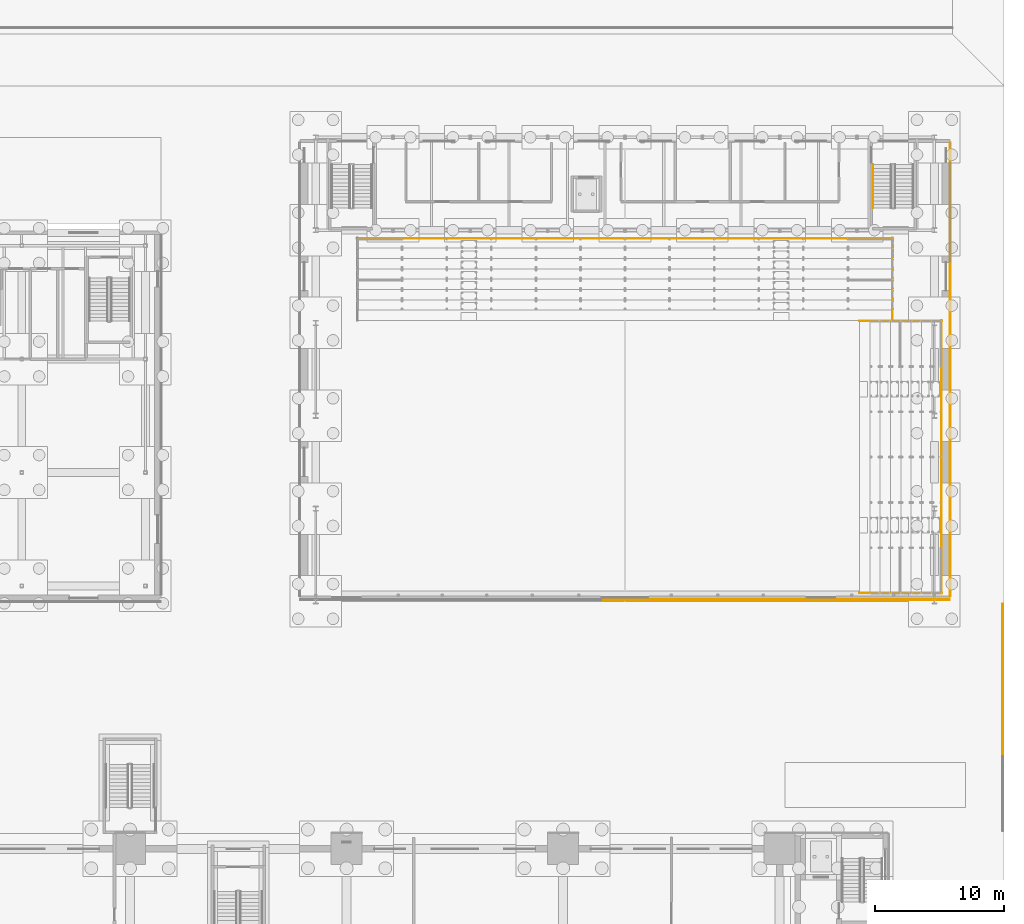
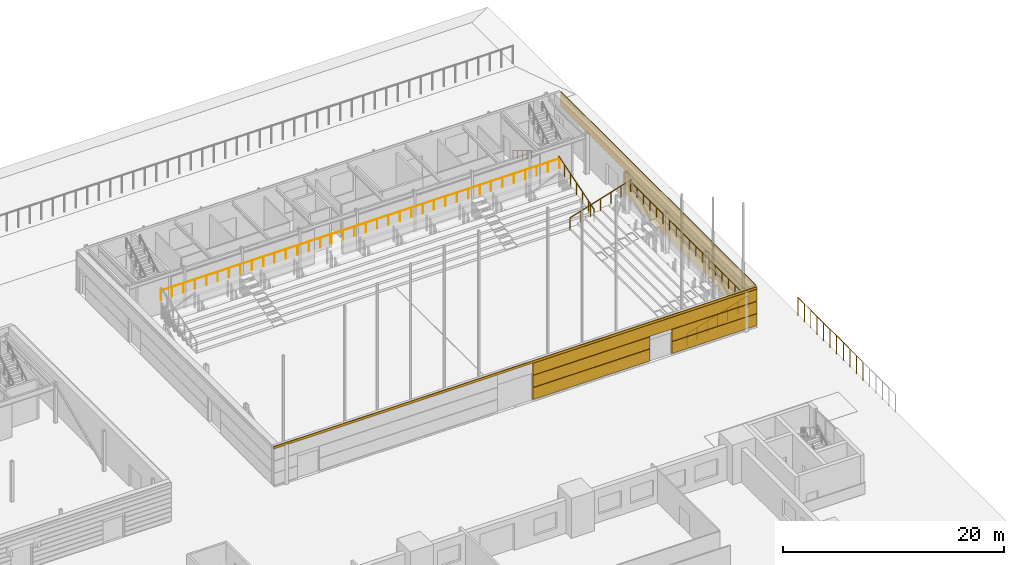
# One storey, part 134 of 139: 10 coverings, 8 railings.
"""IFC4 building model written with IfcOpenShell, lengths in metres."""

import ifcopenshell
import ifcopenshell.guid

model = None  # the IFC model being written
_history = None  # IfcOwnerHistory: only IFC2X3 demands one
_inside = {}  # id of a spatial element -> (the spatial element, [elements in it])
_under = {}  # id of a project, library or spatial element -> (it, [spatial elements below it])
_declared = {}  # id of a project -> (the project, [libraries it declares])
_typed = {}  # id of a type object -> (the type object, [elements of that type])
_made_of = {}  # id of a material, layer set ... -> (it, [elements and type objects made of it])


def new_model(schema):
    """Start an empty IFC model of exactly this schema.

    Asked for "IFC4X3", IfcOpenShell would pick the latest addendum, in which some entities
    have other attributes; the version numbers below select the first issue.
    IFC2X3 requires an IfcOwnerHistory on every rooted entity: one is made here for all.
    """
    global model, _history
    if schema == "IFC4X3":
        model = ifcopenshell.file(schema_version=(4, 3, 0, 0))
    else:
        model = ifcopenshell.file(schema=schema)
    _inside.clear()
    _under.clear()
    _declared.clear()
    _typed.clear()
    _made_of.clear()
    _history = None
    if model.schema == "IFC2X3":
        org = make("IfcOrganization", Name="unknown")
        user = make(
            "IfcPersonAndOrganization",
            ThePerson=make("IfcPerson", FamilyName="unknown"),
            TheOrganization=org,
        )
        app = make(
            "IfcApplication",
            ApplicationDeveloper=org,
            Version="unknown",
            ApplicationFullName="unknown",
            ApplicationIdentifier="unknown",
        )
        _history = make(
            "IfcOwnerHistory",
            OwningUser=user,
            OwningApplication=app,
            ChangeAction="ADDED",
            CreationDate=0,
        )
    return model


def make(cls, **values):
    """One entity of the class cls with the attributes given. An attribute that is None is left unset."""
    return model.create_entity(
        cls, **{name: value for name, value in values.items() if value is not None}
    )


def rooted(cls, **values):
    """An entity with a GlobalId (a new one), such as an element, a storey or a relation."""
    return make(cls, GlobalId=ifcopenshell.guid.new(), OwnerHistory=_history, **values)


def si_unit(unit_type, name, prefix=None):
    """IfcSIUnit, for example si_unit("LENGTHUNIT", "METRE", prefix="MILLI")."""
    return make("IfcSIUnit", UnitType=unit_type, Prefix=prefix, Name=name)


def assignment(units):
    """IfcUnitAssignment: the units of a project."""
    return None if units is None else make("IfcUnitAssignment", Units=units)


def point(xyz):
    """IfcCartesianPoint."""
    return None if xyz is None else make("IfcCartesianPoint", Coordinates=xyz)


def direction(xyz):
    """IfcDirection."""
    return None if xyz is None else make("IfcDirection", DirectionRatios=xyz)


def frame(location, z_axis=None, x_axis=None):
    """IfcAxis2Placement3D, a coordinate frame: its origin and axes. An axis left out is left unset."""
    return make(
        "IfcAxis2Placement3D",
        Location=point(location),
        Axis=direction(z_axis),
        RefDirection=direction(x_axis),
    )


def frame_2d(location, x_axis=None):
    """IfcAxis2Placement2D, a coordinate frame in the plane: its origin and x axis."""
    return make(
        "IfcAxis2Placement2D", Location=point(location), RefDirection=direction(x_axis)
    )


def origin():
    """The frame at (0, 0, 0) with its axes left unset."""
    return frame((0.0, 0.0, 0.0))


def origin_2d():
    """The frame at (0, 0) in the plane with its x axis left unset."""
    return frame_2d((0.0, 0.0))


def place(relative_to, where):
    """IfcLocalPlacement: puts the frame where relative to a parent placement (None: the world)."""
    return make(
        "IfcLocalPlacement", PlacementRelTo=relative_to, RelativePlacement=where
    )


def context(
    kind, dimensions, precision=None, world=None, true_north=None, identifier=None
):
    """IfcGeometricRepresentationContext, for example the 3D "Model" context."""
    return make(
        "IfcGeometricRepresentationContext",
        ContextIdentifier=identifier,
        ContextType=kind,
        CoordinateSpaceDimension=dimensions,
        Precision=precision,
        WorldCoordinateSystem=world,
        TrueNorth=true_north,
    )


def subcontext(parent, identifier, kind, view, scale=None):
    """IfcGeometricRepresentationSubContext, for example "Body" below "Model"."""
    return make(
        "IfcGeometricRepresentationSubContext",
        ContextIdentifier=identifier,
        ContextType=kind,
        ParentContext=parent,
        TargetScale=scale,
        TargetView=view,
    )


def project(units=None, contexts=None):
    """IfcProject with its units and contexts."""
    return rooted(
        "IfcProject",
        Name="project",
        RepresentationContexts=contexts,
        UnitsInContext=assignment(units),
    )


def spatial(cls, under=None, at=None, **own):
    """A site, building, storey or space (cls), placed at a placement, below another one or the project."""
    s = rooted(cls, ObjectPlacement=at, **own)
    if under is not None:
        _under.setdefault(under.id(), (under, []))[1].append(s)
    return s


def profile(cls, at=None, kind="AREA", **sizes):
    """A parametric profile (cls). Its sizes go by their IFC names, for example OverallWidth=200.0."""
    return make(cls, ProfileType=kind, Position=at, **sizes)


def rectangle(**sizes):
    """IfcRectangleProfileDef."""
    return profile("IfcRectangleProfileDef", **sizes)


def circle(**sizes):
    """IfcCircleProfileDef."""
    return profile("IfcCircleProfileDef", **sizes)


def extrude(swept, where, along, depth):
    """IfcExtrudedAreaSolid: the profile swept, set in the frame where, extruded along a direction by depth."""
    return make(
        "IfcExtrudedAreaSolid",
        SweptArea=swept,
        Position=where,
        ExtrudedDirection=direction(along),
        Depth=depth,
    )


def shape(context_of_items, identifier, shape_type, items):
    """IfcShapeRepresentation: the items that make up one representation, for example the "Body"."""
    return make(
        "IfcShapeRepresentation",
        ContextOfItems=context_of_items,
        RepresentationIdentifier=identifier,
        RepresentationType=shape_type,
        Items=items,
    )


def material(Name=None, Category=None):
    """IfcMaterial."""
    return make("IfcMaterial", Name=Name, Category=Category)


def layer(
    of_material, thickness, ventilated=None, Name=None, Category=None, Priority=None
):
    """IfcMaterialLayer: one layer of a wall or slab, of a material (None: an air gap)."""
    return make(
        "IfcMaterialLayer",
        Material=of_material,
        LayerThickness=thickness,
        IsVentilated=ventilated,
        Name=Name,
        Category=Category,
        Priority=Priority,
    )


def layer_set(layers, Name=None):
    """IfcMaterialLayerSet."""
    return make("IfcMaterialLayerSet", MaterialLayers=layers, LayerSetName=Name)


def made_of(thing, what):
    """Note that an element or type object is made of a material, layer set ...; save() writes the relation."""
    if what is not None:
        _made_of.setdefault(what.id(), (what, []))[1].append(thing)
    return thing


def type_object(cls, material=None, **own):
    """A type object (cls), such as IfcWallType, which elements share."""
    return made_of(rooted(cls, **own), material)


def element(
    cls,
    number,
    at=None,
    inside=None,
    cuts=None,
    type_object=None,
    material=None,
    context=None,
    identifier="Body",
    shape_type=None,
    held_by="IfcProductDefinitionShape",
    body=None,
    shapes=None,
    **own,
):
    """One element of the class cls, such as IfcWall. Its Tag is "e" and its number.

    at: its placement. inside: the storey or other place that contains it. cuts: it is an
    opening in that element (IfcRelVoidsElement). A single representation is given by context,
    identifier, shape_type and body (its items); several are given by shapes. held_by: the class
    of the entity that holds the representations. save() writes the other relations.
    """
    e = rooted(cls, Tag="e%d" % number, ObjectPlacement=at, **own)
    if body is not None:
        shapes = [shape(context, identifier, shape_type, body)]
    if shapes is not None:
        e.Representation = make(held_by, Representations=shapes)
    if inside is not None:
        _inside.setdefault(inside.id(), (inside, []))[1].append(e)
    if cuts is not None:
        rooted(
            "IfcRelVoidsElement", RelatingBuildingElement=cuts, RelatedOpeningElement=e
        )
    if type_object is not None:
        _typed.setdefault(type_object.id(), (type_object, []))[1].append(e)
    return made_of(e, material)


def aggregate(whole, parts):
    """IfcRelAggregates: a whole, such as a stair, and the parts it consists of."""
    return rooted("IfcRelAggregates", RelatingObject=whole, RelatedObjects=parts)


def save(model, path):
    """Write the relations noted so far, then the file.

    IfcRelAggregates (storeys below a building ...), IfcRelContainedInSpatialStructure (elements
    in a storey), IfcRelDefinesByType, IfcRelAssociatesMaterial and IfcRelDeclares: one each for
    every whole, place, type object, material and project.
    """
    for whole, parts in _under.values():
        aggregate(whole, parts)
    for where, things in _inside.values():
        rooted(
            "IfcRelContainedInSpatialStructure",
            RelatedElements=things,
            RelatingStructure=where,
        )
    for kind, things in _typed.values():
        rooted("IfcRelDefinesByType", RelatedObjects=things, RelatingType=kind)
    for what, things in _made_of.values():
        rooted("IfcRelAssociatesMaterial", RelatedObjects=things, RelatingMaterial=what)
    for by, libraries in _declared.values():
        rooted("IfcRelDeclares", RelatingContext=by, RelatedDefinitions=libraries)
    model.write(path)


model = new_model("IFC4")

# Units and contexts
model_context = context("Model", 3, precision=1e-05, world=origin(), true_north=direction((0.0, 1.0)))
body_context = subcontext(model_context, "Body", "Model", "MODEL_VIEW")
ifc_project = project(units=[si_unit("LENGTHUNIT", "METRE"), si_unit("AREAUNIT", "SQUARE_METRE"), si_unit("VOLUMEUNIT", "CUBIC_METRE"), si_unit("PLANEANGLEUNIT", "RADIAN"), si_unit("MASSUNIT", "GRAM", prefix="KILO")], contexts=[model_context])

# Site, building, storey
site_placement = place(None, origin())
site = spatial("IfcSite", under=ifc_project, at=site_placement, CompositionType="ELEMENT")
building_placement = place(site_placement, origin())
building = spatial("IfcBuilding", under=site, at=building_placement, Name="Verrick Yard Athletic Hall", CompositionType="ELEMENT")
storey_placement = place(building_placement, origin())
storey = spatial("IfcBuildingStorey", under=building, at=storey_placement, Name="L00", CompositionType="ELEMENT", Elevation=0.0)

# Railings
ifc_material_1 = material(Name="Stainless steel 316", Category="steel")
railing_type_1 = type_object("IfcRailingType", Name="HB seating guard 1100", PredefinedType="GUARDRAIL", material=ifc_material_1)
railing_1_placement = place(storey_placement, frame((124.800048828125, 100.14990234375, 2.0)))
element("IfcRailing", 1, at=railing_1_placement, inside=storey, type_object=railing_type_1, Name="HB-GD-RSA1-back", PredefinedType="GUARDRAIL", context=body_context, shape_type="SweptSolid", body=[
    extrude(circle(Radius=0.02392578125, at=origin_2d()), frame((0.0, 0.0, 1.076171875), z_axis=(1.0, 0.0, 0.0), x_axis=(0.0, 1.0, 0.0)), (0.0, 0.0, 1.0), 41.599853515625),
    extrude(circle(Radius=0.02099609375, at=origin_2d()), origin(), (0.0, 0.0, 1.0), 1.052001953125),
    extrude(circle(Radius=0.02099609375, at=origin_2d()), frame((1.1884765625, 0.0, 0.0)), (0.0, 0.0, 1.0), 1.052001953125),
    extrude(circle(Radius=0.02099609375, at=origin_2d()), frame((2.377197265625, 0.0, 0.0)), (0.0, 0.0, 1.0), 1.052001953125),
    extrude(circle(Radius=0.02099609375, at=origin_2d()), frame((3.565673828125, 0.0, 0.0)), (0.0, 0.0, 1.0), 1.052001953125),
    extrude(circle(Radius=0.02099609375, at=origin_2d()), frame((4.754150390625, 0.0, 0.0)), (0.0, 0.0, 1.0), 1.052001953125),
    extrude(circle(Radius=0.02099609375, at=origin_2d()), frame((5.94287109375, 0.0, 0.0)), (0.0, 0.0, 1.0), 1.052001953125),
    extrude(circle(Radius=0.02099609375, at=origin_2d()), frame((7.13134765625, 0.0, 0.0)), (0.0, 0.0, 1.0), 1.052001953125),
    extrude(circle(Radius=0.02099609375, at=origin_2d()), frame((8.320068359375, 0.0, 0.0)), (0.0, 0.0, 1.0), 1.052001953125),
    extrude(circle(Radius=0.02099609375, at=origin_2d()), frame((9.508544921875, 0.0, 0.0)), (0.0, 0.0, 1.0), 1.052001953125),
    extrude(circle(Radius=0.02099609375, at=origin_2d()), frame((10.697021484375, 0.0, 0.0)), (0.0, 0.0, 1.0), 1.052001953125),
    extrude(circle(Radius=0.02099609375, at=origin_2d()), frame((11.8857421875, 0.0, 0.0)), (0.0, 0.0, 1.0), 1.052001953125),
    extrude(circle(Radius=0.02099609375, at=origin_2d()), frame((13.07421875, 0.0, 0.0)), (0.0, 0.0, 1.0), 1.052001953125),
    extrude(circle(Radius=0.02099609375, at=origin_2d()), frame((14.2626953125, 0.0, 0.0)), (0.0, 0.0, 1.0), 1.052001953125),
    extrude(circle(Radius=0.02099609375, at=origin_2d()), frame((15.451416015625, 0.0, 0.0)), (0.0, 0.0, 1.0), 1.052001953125),
    extrude(circle(Radius=0.02099609375, at=origin_2d()), frame((16.639892578125, 0.0, 0.0)), (0.0, 0.0, 1.0), 1.052001953125),
    extrude(circle(Radius=0.02099609375, at=origin_2d()), frame((17.82861328125, 0.0, 0.0)), (0.0, 0.0, 1.0), 1.052001953125),
    extrude(circle(Radius=0.02099609375, at=origin_2d()), frame((19.01708984375, 0.0, 0.0)), (0.0, 0.0, 1.0), 1.052001953125),
    extrude(circle(Radius=0.02099609375, at=origin_2d()), frame((20.20556640625, 0.0, 0.0)), (0.0, 0.0, 1.0), 1.052001953125),
    extrude(circle(Radius=0.02099609375, at=origin_2d()), frame((21.394287109375, 0.0, 0.0)), (0.0, 0.0, 1.0), 1.052001953125),
    extrude(circle(Radius=0.02099609375, at=origin_2d()), frame((22.582763671875, 0.0, 0.0)), (0.0, 0.0, 1.0), 1.052001953125),
    extrude(circle(Radius=0.02099609375, at=origin_2d()), frame((23.771240234375, 0.0, 0.0)), (0.0, 0.0, 1.0), 1.052001953125),
    extrude(circle(Radius=0.02099609375, at=origin_2d()), frame((24.9599609375, 0.0, 0.0)), (0.0, 0.0, 1.0), 1.052001953125),
    extrude(circle(Radius=0.02099609375, at=origin_2d()), frame((26.1484375, 0.0, 0.0)), (0.0, 0.0, 1.0), 1.052001953125),
    extrude(circle(Radius=0.02099609375, at=origin_2d()), frame((27.337158203125, 0.0, 0.0)), (0.0, 0.0, 1.0), 1.052001953125),
    extrude(circle(Radius=0.02099609375, at=origin_2d()), frame((28.525634765625, 0.0, 0.0)), (0.0, 0.0, 1.0), 1.052001953125),
    extrude(circle(Radius=0.02099609375, at=origin_2d()), frame((29.714111328125, 0.0, 0.0)), (0.0, 0.0, 1.0), 1.052001953125),
    extrude(circle(Radius=0.02099609375, at=origin_2d()), frame((30.90283203125, 0.0, 0.0)), (0.0, 0.0, 1.0), 1.052001953125),
    extrude(circle(Radius=0.02099609375, at=origin_2d()), frame((32.09130859375, 0.0, 0.0)), (0.0, 0.0, 1.0), 1.052001953125),
    extrude(circle(Radius=0.02099609375, at=origin_2d()), frame((33.27978515625, 0.0, 0.0)), (0.0, 0.0, 1.0), 1.052001953125),
    extrude(circle(Radius=0.02099609375, at=origin_2d()), frame((34.468505859375, 0.0, 0.0)), (0.0, 0.0, 1.0), 1.052001953125),
    extrude(circle(Radius=0.02099609375, at=origin_2d()), frame((35.656982421875, 0.0, 0.0)), (0.0, 0.0, 1.0), 1.052001953125),
    extrude(circle(Radius=0.02099609375, at=origin_2d()), frame((36.845703125, 0.0, 0.0)), (0.0, 0.0, 1.0), 1.052001953125),
    extrude(circle(Radius=0.02099609375, at=origin_2d()), frame((38.0341796875, 0.0, 0.0)), (0.0, 0.0, 1.0), 1.052001953125),
    extrude(circle(Radius=0.02099609375, at=origin_2d()), frame((39.22265625, 0.0, 0.0)), (0.0, 0.0, 1.0), 1.052001953125),
    extrude(circle(Radius=0.02099609375, at=origin_2d()), frame((40.411376953125, 0.0, 0.0)), (0.0, 0.0, 1.0), 1.052001953125),
    extrude(circle(Radius=0.02099609375, at=origin_2d()), frame((41.599853515625, 0.0, 0.0)), (0.0, 0.0, 1.0), 1.052001953125),
])
railing_2_placement = place(storey_placement, frame((166.35009765625, 93.800048828125, 0.0)))
element("IfcRailing", 2, at=railing_2_placement, inside=storey, type_object=railing_type_1, Name="HB-GD-RSA1-e", PredefinedType="GUARDRAIL", context=body_context, shape_type="SweptSolid", body=[
    extrude(circle(Radius=0.02392578125, at=origin_2d()), frame((0.0, 0.0, 1.326171875), z_axis=(0.0, 0.95447868226, 0.298279139585), x_axis=(-1.0, 0.0, 0.0)), (0.0, 0.0, 1.0), 6.705078125),
    extrude(circle(Radius=0.02099609375, at=origin_2d()), origin(), (0.0, 0.0, 1.0), 1.302001953125),
    extrude(circle(Radius=0.02099609375, at=origin_2d()), frame((0.0, 1.066650390625, 0.333251953125)), (0.0, 0.0, 1.0), 1.302001953125),
    extrude(circle(Radius=0.02099609375, at=origin_2d()), frame((0.0, 2.13330078125, 0.666748046875)), (0.0, 0.0, 1.0), 1.302001953125),
    extrude(circle(Radius=0.02099609375, at=origin_2d()), frame((0.0, 3.199951171875, 1.0)), (0.0, 0.0, 1.0), 1.302001953125),
    extrude(circle(Radius=0.02099609375, at=origin_2d()), frame((0.0, 4.2666015625, 1.333251953125)), (0.0, 0.0, 1.0), 1.302001953125),
    extrude(circle(Radius=0.02099609375, at=origin_2d()), frame((0.0, 5.333251953125, 1.666748046875)), (0.0, 0.0, 1.0), 1.302001953125),
    extrude(circle(Radius=0.02099609375, at=origin_2d()), frame((0.0, 6.39990234375, 2.0)), (0.0, 0.0, 1.0), 1.302001953125),
])
railing_3_placement = place(storey_placement, frame((170.14990234375, 72.60009765625, 2.0)))
element("IfcRailing", 3, at=railing_3_placement, inside=storey, type_object=railing_type_1, Name="HB-GD-RSA2-back", PredefinedType="GUARDRAIL", context=body_context, shape_type="SweptSolid", body=[
    extrude(circle(Radius=0.02392578125, at=origin_2d()), frame((0.0, 0.0, 1.076171875), z_axis=(0.0, 1.0, 0.0), x_axis=(-1.0, 0.0, 0.0)), (0.0, 0.0, 1.0), 21.199951171875),
    extrude(circle(Radius=0.02099609375, at=origin_2d()), origin(), (0.0, 0.0, 1.0), 1.052001953125),
    extrude(circle(Radius=0.02099609375, at=origin_2d()), frame((0.0, 1.177734375, 0.0)), (0.0, 0.0, 1.0), 1.052001953125),
    extrude(circle(Radius=0.02099609375, at=origin_2d()), frame((0.0, 2.35546875, 0.0)), (0.0, 0.0, 1.0), 1.052001953125),
    extrude(circle(Radius=0.02099609375, at=origin_2d()), frame((0.0, 3.533203125, 0.0)), (0.0, 0.0, 1.0), 1.052001953125),
    extrude(circle(Radius=0.02099609375, at=origin_2d()), frame((0.0, 4.711181640625, 0.0)), (0.0, 0.0, 1.0), 1.052001953125),
    extrude(circle(Radius=0.02099609375, at=origin_2d()), frame((0.0, 5.888916015625, 0.0)), (0.0, 0.0, 1.0), 1.052001953125),
    extrude(circle(Radius=0.02099609375, at=origin_2d()), frame((0.0, 7.066650390625, 0.0)), (0.0, 0.0, 1.0), 1.052001953125),
    extrude(circle(Radius=0.02099609375, at=origin_2d()), frame((0.0, 8.244384765625, 0.0)), (0.0, 0.0, 1.0), 1.052001953125),
    extrude(circle(Radius=0.02099609375, at=origin_2d()), frame((0.0, 9.422119140625, 0.0)), (0.0, 0.0, 1.0), 1.052001953125),
    extrude(circle(Radius=0.02099609375, at=origin_2d()), frame((0.0, 10.60009765625, 0.0)), (0.0, 0.0, 1.0), 1.052001953125),
    extrude(circle(Radius=0.02099609375, at=origin_2d()), frame((0.0, 11.77783203125, 0.0)), (0.0, 0.0, 1.0), 1.052001953125),
    extrude(circle(Radius=0.02099609375, at=origin_2d()), frame((0.0, 12.95556640625, 0.0)), (0.0, 0.0, 1.0), 1.052001953125),
    extrude(circle(Radius=0.02099609375, at=origin_2d()), frame((0.0, 14.13330078125, 0.0)), (0.0, 0.0, 1.0), 1.052001953125),
    extrude(circle(Radius=0.02099609375, at=origin_2d()), frame((0.0, 15.31103515625, 0.0)), (0.0, 0.0, 1.0), 1.052001953125),
    extrude(circle(Radius=0.02099609375, at=origin_2d()), frame((0.0, 16.48876953125, 0.0)), (0.0, 0.0, 1.0), 1.052001953125),
    extrude(circle(Radius=0.02099609375, at=origin_2d()), frame((0.0, 17.66650390625, 0.0)), (0.0, 0.0, 1.0), 1.052001953125),
    extrude(circle(Radius=0.02099609375, at=origin_2d()), frame((0.0, 18.844482421875, 0.0)), (0.0, 0.0, 1.0), 1.052001953125),
    extrude(circle(Radius=0.02099609375, at=origin_2d()), frame((0.0, 20.022216796875, 0.0)), (0.0, 0.0, 1.0), 1.052001953125),
    extrude(circle(Radius=0.02099609375, at=origin_2d()), frame((0.0, 21.199951171875, 0.0)), (0.0, 0.0, 1.0), 1.052001953125),
])
for number, where, name in (
    (4, (163.800048828125, 72.64990234375, 0.0), "HB-GD-RSA2-s"),
    (5, (163.800048828125, 93.75, 0.0), "HB-GD-RSA2-n"),
):
    element("IfcRailing", number, at=place(storey_placement, frame(where)), inside=storey, type_object=railing_type_1, Name=name, PredefinedType="GUARDRAIL", context=body_context, shape_type="SweptSolid", body=[
        extrude(circle(Radius=0.02392578125, at=origin_2d()), frame((0.0, 0.0, 1.326171875), z_axis=(0.95447868226, 0.0, 0.298279139585), x_axis=(0.0, 1.0, 0.0)), (0.0, 0.0, 1.0), 6.705078125),
        extrude(circle(Radius=0.02099609375, at=origin_2d()), origin(), (0.0, 0.0, 1.0), 1.302001953125),
        extrude(circle(Radius=0.02099609375, at=origin_2d()), frame((1.066650390625, 0.0, 0.333251953125)), (0.0, 0.0, 1.0), 1.302001953125),
        extrude(circle(Radius=0.02099609375, at=origin_2d()), frame((2.13330078125, 0.0, 0.666748046875)), (0.0, 0.0, 1.0), 1.302001953125),
        extrude(circle(Radius=0.02099609375, at=origin_2d()), frame((3.199951171875, 0.0, 1.0)), (0.0, 0.0, 1.0), 1.302001953125),
        extrude(circle(Radius=0.02099609375, at=origin_2d()), frame((4.2666015625, 0.0, 1.333251953125)), (0.0, 0.0, 1.0), 1.302001953125),
        extrude(circle(Radius=0.02099609375, at=origin_2d()), frame((5.333251953125, 0.0, 1.666748046875)), (0.0, 0.0, 1.0), 1.302001953125),
        extrude(circle(Radius=0.02099609375, at=origin_2d()), frame((6.39990234375, 0.0, 2.0)), (0.0, 0.0, 1.0), 1.302001953125),
    ])
ifc_material_2 = material(Name="Galvanised steel", Category="steel")
railing_type_2 = type_object("IfcRailingType", Name="Site fence", PredefinedType="USERDEFINED", material=ifc_material_2)
railing_4_placement = place(storey_placement, frame((174.89990234375, 66.0, 0.0)))
element("IfcRailing", 6, at=railing_4_placement, inside=storey, type_object=railing_type_2, Name="Yard fence east N", ObjectType="FENCE", PredefinedType="USERDEFINED", context=body_context, shape_type="SweptSolid", body=[
    extrude(circle(Radius=0.02392578125, at=origin_2d()), frame((0.0, 0.0, 1.97607421875), z_axis=(0.0, 1.0, 0.0), x_axis=(-1.0, 0.0, 0.0)), (0.0, 0.0, 1.0), 5.800048828125),
    extrude(circle(Radius=0.02099609375, at=origin_2d()), origin(), (0.0, 0.0, 1.0), 1.951904296875),
    extrude(circle(Radius=0.02099609375, at=origin_2d()), frame((0.0, 1.159912109375, 0.0)), (0.0, 0.0, 1.0), 1.951904296875),
    extrude(circle(Radius=0.02099609375, at=origin_2d()), frame((0.0, 2.320068359375, 0.0)), (0.0, 0.0, 1.0), 1.951904296875),
    extrude(circle(Radius=0.02099609375, at=origin_2d()), frame((0.0, 3.47998046875, 0.0)), (0.0, 0.0, 1.0), 1.951904296875),
    extrude(circle(Radius=0.02099609375, at=origin_2d()), frame((0.0, 4.64013671875, 0.0)), (0.0, 0.0, 1.0), 1.951904296875),
    extrude(circle(Radius=0.02099609375, at=origin_2d()), frame((0.0, 5.800048828125, 0.0)), (0.0, 0.0, 1.0), 1.951904296875),
])
railing_type_3 = type_object("IfcRailingType", Name="Site gate", PredefinedType="USERDEFINED", material=ifc_material_2)
railing_5_placement = place(storey_placement, frame((174.89990234375, 60.0, 0.0)))
element("IfcRailing", 7, at=railing_5_placement, inside=storey, type_object=railing_type_3, Name="Service gate G1", ObjectType="GATE", PredefinedType="USERDEFINED", context=body_context, shape_type="SweptSolid", body=[
    extrude(circle(Radius=0.02392578125, at=origin_2d()), frame((0.0, 0.0, 1.97607421875), z_axis=(0.0, 1.0, 0.0), x_axis=(-1.0, 0.0, 0.0)), (0.0, 0.0, 1.0), 6.0),
    extrude(circle(Radius=0.02099609375, at=origin_2d()), origin(), (0.0, 0.0, 1.0), 1.951904296875),
    extrude(circle(Radius=0.02099609375, at=origin_2d()), frame((0.0, 1.199951171875, 0.0)), (0.0, 0.0, 1.0), 1.951904296875),
    extrude(circle(Radius=0.02099609375, at=origin_2d()), frame((0.0, 2.39990234375, 0.0)), (0.0, 0.0, 1.0), 1.951904296875),
    extrude(circle(Radius=0.02099609375, at=origin_2d()), frame((0.0, 3.60009765625, 0.0)), (0.0, 0.0, 1.0), 1.951904296875),
    extrude(circle(Radius=0.02099609375, at=origin_2d()), frame((0.0, 4.800048828125, 0.0)), (0.0, 0.0, 1.0), 1.951904296875),
    extrude(circle(Radius=0.02099609375, at=origin_2d()), frame((0.0, 6.0, 0.0)), (0.0, 0.0, 1.0), 1.951904296875),
])
ifc_material_3 = material(Name="Stainless steel", Category="steel")
railing_type_4 = type_object("IfcRailingType", Name="Stair handrail 900", PredefinedType="HANDRAIL", material=ifc_material_3)
railing_6_placement = place(storey_placement, frame((164.85009765625, 105.875, 0.169189453125)))
element("IfcRailing", 8, at=railing_6_placement, inside=storey, type_object=railing_type_4, Name="L00 Sports Hall A east band stair handrail 1", PredefinedType="HANDRAIL", context=body_context, shape_type="SweptSolid", body=[
    extrude(circle(Radius=0.02392578125, at=origin_2d()), frame((0.0, 0.0, 0.8759765625), z_axis=(0.0, -0.855836976705, 0.517245656632), x_axis=(1.0, 0.0, 0.0)), (0.0, 0.0, 1.0), 3.926025390625),
    extrude(circle(Radius=0.02099609375, at=origin_2d()), origin(), (0.0, 0.0, 1.0), 0.851806640625),
    extrude(circle(Radius=0.02099609375, at=origin_2d()), frame((0.0, -0.840087890625, 0.5078125)), (0.0, 0.0, 1.0), 0.851806640625),
    extrude(circle(Radius=0.02099609375, at=origin_2d()), frame((0.0, -1.68017578125, 1.015380859375)), (0.0, 0.0, 1.0), 0.851806640625),
    extrude(circle(Radius=0.02099609375, at=origin_2d()), frame((0.0, -2.52001953125, 1.52294921875)), (0.0, 0.0, 1.0), 0.851806640625),
    extrude(circle(Radius=0.02099609375, at=origin_2d()), frame((0.0, -3.360107421875, 2.03076171875)), (0.0, 0.0, 1.0), 0.851806640625),
])

# Coverings
ifc_material_4 = material(Name="Tyndall-stone-look precast cladding", Category="masonry")
ifc_layer_1 = layer(ifc_material_4, 0.125)
ifc_layer_set_1 = layer_set([ifc_layer_1], Name="Stone cladding")
covering_type_1 = type_object("IfcCoveringType", Name="Stone cladding", PredefinedType="CLADDING", material=ifc_layer_set_1)
for number, where, z_axis, x_axis, name in (
    (9, (170.83740234375, 84.234619140625, 0.125), (0.0, 0.0, 1.0), (0.0, 1.0, 0.0), "Hall base rustication"),
    (10, (170.83740234375, 84.234619140625, 1.47509765625), (0.0, 0.0, 1.0), (0.0, 1.0, 0.0), "Hall base rustication"),
):
    element("IfcCovering", number, at=place(storey_placement, frame(where, z_axis=z_axis, x_axis=x_axis)), inside=storey, type_object=covering_type_1, Name=name, PredefinedType="CLADDING", context=body_context, shape_type="SweptSolid", body=[
        extrude(rectangle(XDim=23.632568359375, YDim=0.074951171875, at=origin_2d()), origin(), (0.0, 0.0, 1.0), 1.300048828125),
    ])
covering_1_placement = place(storey_placement, frame((170.83740234375, 90.0, 2.8251953125), z_axis=(0.0, 0.0, 1.0), x_axis=(0.0, 1.0, 0.0)))
element("IfcCovering", 11, at=covering_1_placement, inside=storey, type_object=covering_type_1, Name="Hall base rustication", PredefinedType="CLADDING", context=body_context, shape_type="SweptSolid", body=[
    extrude(rectangle(XDim=35.163330078125, YDim=0.074951171875, at=origin_2d()), origin(), (0.0, 0.0, 1.0), 1.300048828125),
])
covering_2_placement = place(storey_placement, frame((153.550048828125, 72.146484375, 0.125), z_axis=(0.0, 0.0, 1.0), x_axis=(1.0, 0.0, 0.0)))
element("IfcCovering", 12, at=covering_2_placement, inside=storey, type_object=covering_type_1, Name="Hall front rustication", PredefinedType="CLADDING", context=body_context, shape_type="SweptSolid", body=[
    extrude(rectangle(XDim=12.199951171875, YDim=0.074951171875, at=origin_2d()), origin(), (0.0, 0.0, 1.0), 1.300048828125),
])
covering_3_placement = place(storey_placement, frame((166.375, 72.146484375, 0.125), z_axis=(0.0, 0.0, 1.0), x_axis=(1.0, 0.0, 0.0)))
element("IfcCovering", 13, at=covering_3_placement, inside=storey, type_object=covering_type_1, Name="Hall front rustication", PredefinedType="CLADDING", context=body_context, shape_type="SweptSolid", body=[
    extrude(rectangle(XDim=8.85009765625, YDim=0.074951171875, at=origin_2d()), origin(), (0.0, 0.0, 1.0), 1.300048828125),
])
covering_4_placement = place(storey_placement, frame((153.550048828125, 72.146484375, 1.47509765625), z_axis=(0.0, 0.0, 1.0), x_axis=(1.0, 0.0, 0.0)))
element("IfcCovering", 14, at=covering_4_placement, inside=storey, type_object=covering_type_1, Name="Hall front rustication", PredefinedType="CLADDING", context=body_context, shape_type="SweptSolid", body=[
    extrude(rectangle(XDim=12.199951171875, YDim=0.074951171875, at=origin_2d()), origin(), (0.0, 0.0, 1.0), 1.300048828125),
])
covering_5_placement = place(storey_placement, frame((166.375, 72.146484375, 1.47509765625), z_axis=(0.0, 0.0, 1.0), x_axis=(1.0, 0.0, 0.0)))
element("IfcCovering", 15, at=covering_5_placement, inside=storey, type_object=covering_type_1, Name="Hall front rustication", PredefinedType="CLADDING", context=body_context, shape_type="SweptSolid", body=[
    extrude(rectangle(XDim=8.85009765625, YDim=0.074951171875, at=origin_2d()), origin(), (0.0, 0.0, 1.0), 1.300048828125),
])
covering_6_placement = place(storey_placement, frame((159.125, 72.146484375, 2.8251953125), z_axis=(0.0, 0.0, 1.0), x_axis=(1.0, 0.0, 0.0)))
element("IfcCovering", 16, at=covering_6_placement, inside=storey, type_object=covering_type_1, Name="Hall front rustication", PredefinedType="CLADDING", context=body_context, shape_type="SweptSolid", body=[
    extrude(rectangle(XDim=23.35009765625, YDim=0.074951171875, at=origin_2d()), origin(), (0.0, 0.0, 1.0), 1.300048828125),
])
ifc_layer_2 = layer(ifc_material_4, 0.25)
ifc_layer_set_2 = layer_set([ifc_layer_2], Name="Stone moulding")
covering_type_2 = type_object("IfcCoveringType", Name="Stone moulding", PredefinedType="MOLDING", material=ifc_layer_set_2)
covering_7_placement = place(storey_placement, frame((170.83740234375, 90.0, 4.14990234375), z_axis=(0.0, 0.0, 1.0), x_axis=(0.0, 1.0, 0.0)))
element("IfcCovering", 17, at=covering_7_placement, inside=storey, type_object=covering_type_2, Name="String course", PredefinedType="MOLDING", context=body_context, shape_type="SweptSolid", body=[
    extrude(rectangle(XDim=35.163330078125, YDim=0.074951171875, at=origin_2d()), origin(), (0.0, 0.0, 1.0), 0.25),
])
covering_8_placement = place(storey_placement, frame((145.60009765625, 72.146484375, 4.14990234375), z_axis=(0.0, 0.0, 1.0), x_axis=(1.0, 0.0, 0.0)))
element("IfcCovering", 18, at=covering_8_placement, inside=storey, type_object=covering_type_2, Name="String course", PredefinedType="MOLDING", context=body_context, shape_type="SweptSolid", body=[
    extrude(rectangle(XDim=50.39990234375, YDim=0.074951171875, at=origin_2d()), origin(), (0.0, 0.0, 1.0), 0.25),
])

save(model, "model.ifc")
